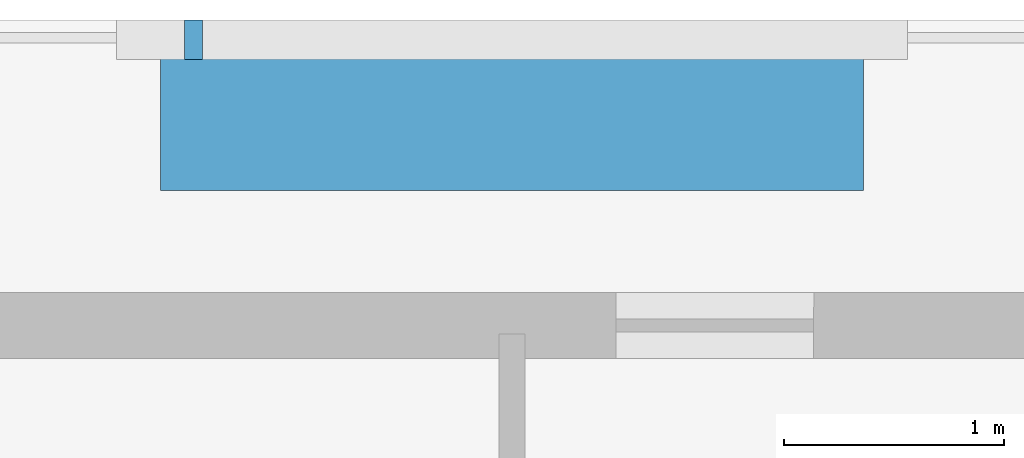
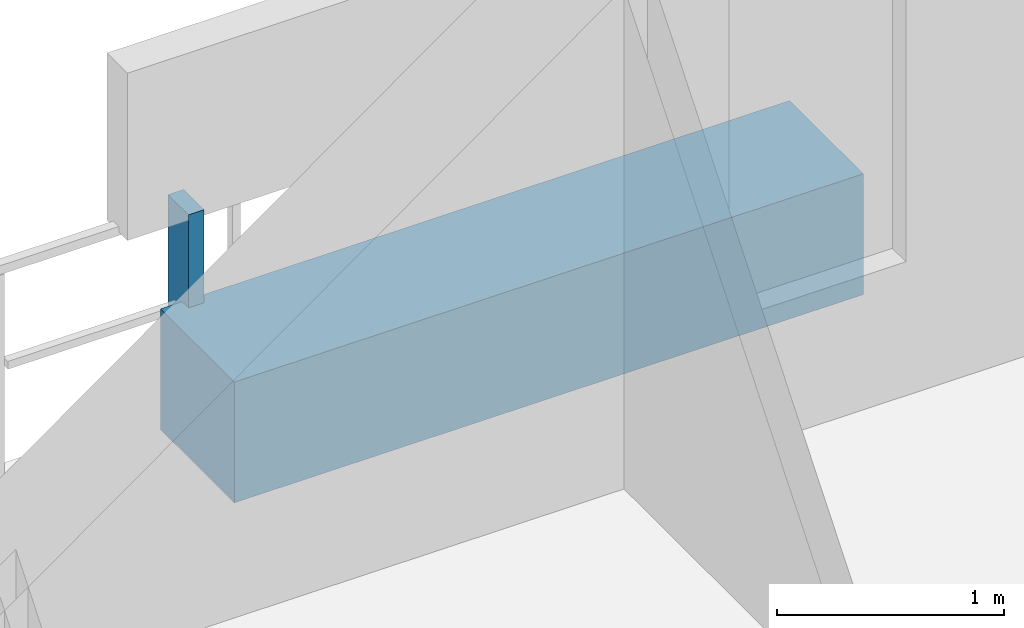
# One storey, part 27 of 31: 2 discrete accessories.
"""IFC4 building model written with IfcOpenShell, lengths in metres."""

from ifc_helpers import new_model, si_unit, direction, frame, origin, origin_2d, place, context, subcontext, project, spatial, rectangle, extrude, material, type_object, element, save


model = new_model("IFC4")

# Units and contexts
model_context = context("Model", 3, precision=1e-05, world=origin(), true_north=direction((0.0, 1.0)))
body_context = subcontext(model_context, "Body", "Model", "MODEL_VIEW")
ifc_project = project(units=[si_unit("LENGTHUNIT", "METRE"), si_unit("AREAUNIT", "SQUARE_METRE"), si_unit("VOLUMEUNIT", "CUBIC_METRE"), si_unit("PLANEANGLEUNIT", "RADIAN"), si_unit("MASSUNIT", "GRAM", prefix="KILO")], contexts=[model_context])

# Site, building, storey
site_placement = place(None, origin())
site = spatial("IfcSite", under=ifc_project, at=site_placement, CompositionType="ELEMENT")
building_placement = place(site_placement, origin())
building = spatial("IfcBuilding", under=site, at=building_placement, Name="Thornwick Lancets Civic Towers", CompositionType="ELEMENT")
storey_placement = place(building_placement, frame((0.0, 0.0, 87.300048828125)))
storey = spatial("IfcBuildingStorey", under=building, at=storey_placement, Name="L22", CompositionType="ELEMENT", Elevation=87.300048828125)

# Discrete accessories
ifc_material_1 = material(Name="Planted terracotta greenery planter", Category="masonry")
discrete_accessory_type_1 = type_object("IfcDiscreteAccessoryType", Name="ACC_PLANTER_BOX", PredefinedType="USERDEFINED", material=ifc_material_1)
discrete_accessory_1_placement = place(storey_placement, frame((88.5, 51.89990234375, 0.0), z_axis=(0.0, 0.0, 1.0), x_axis=(1.0, 0.0, 0.0)))
element("IfcDiscreteAccessory", 1, at=discrete_accessory_1_placement, inside=storey, type_object=discrete_accessory_type_1, Name="L22 Tower B Balcony Greenery Planter N", ObjectType="PLANTER", PredefinedType="USERDEFINED", context=body_context, shape_type="SweptSolid", body=[
    extrude(rectangle(XDim=3.199951171875, YDim=0.64990234375, at=origin_2d()), origin(), (0.0, 0.0, 1.0), 0.64990234375),
])
ifc_material_2 = material(Name="Stainless steel S355", Category="steel")
discrete_accessory_type_2 = type_object("IfcDiscreteAccessoryType", Name="ACC_SCREEN_BRACKET", PredefinedType="BRACKET", material=ifc_material_2)
discrete_accessory_2_placement = place(storey_placement, frame((87.050048828125, 52.260009765625, 0.0), z_axis=(0.0, 0.0, 1.0), x_axis=(1.0, 0.0, 0.0)))
element("IfcDiscreteAccessory", 2, at=discrete_accessory_2_placement, inside=storey, type_object=discrete_accessory_type_2, Name="L22 Tower B Balcony Screen Stanchion Bracket N-1", PredefinedType="BRACKET", context=body_context, shape_type="SweptSolid", body=[
    extrude(rectangle(XDim=0.080078125, YDim=0.179931640625, at=origin_2d()), origin(), (0.0, 0.0, 1.0), 1.14990234375),
])

save(model, "model.ifc")
